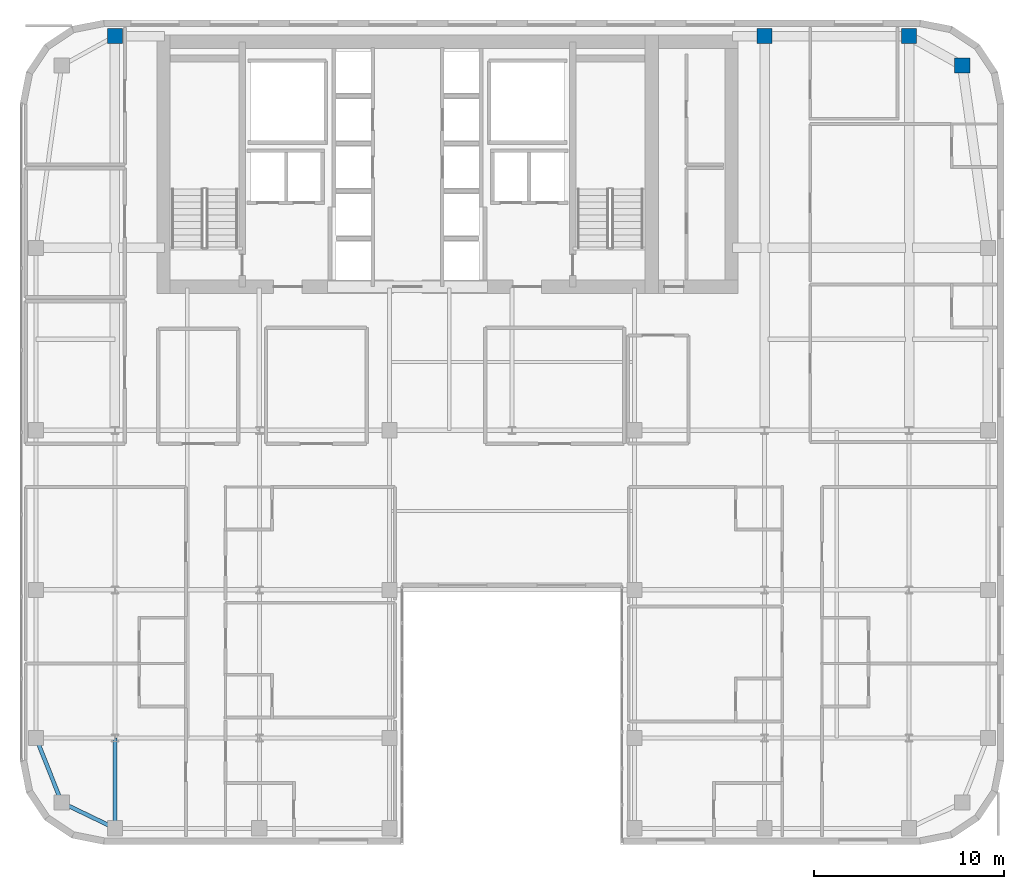
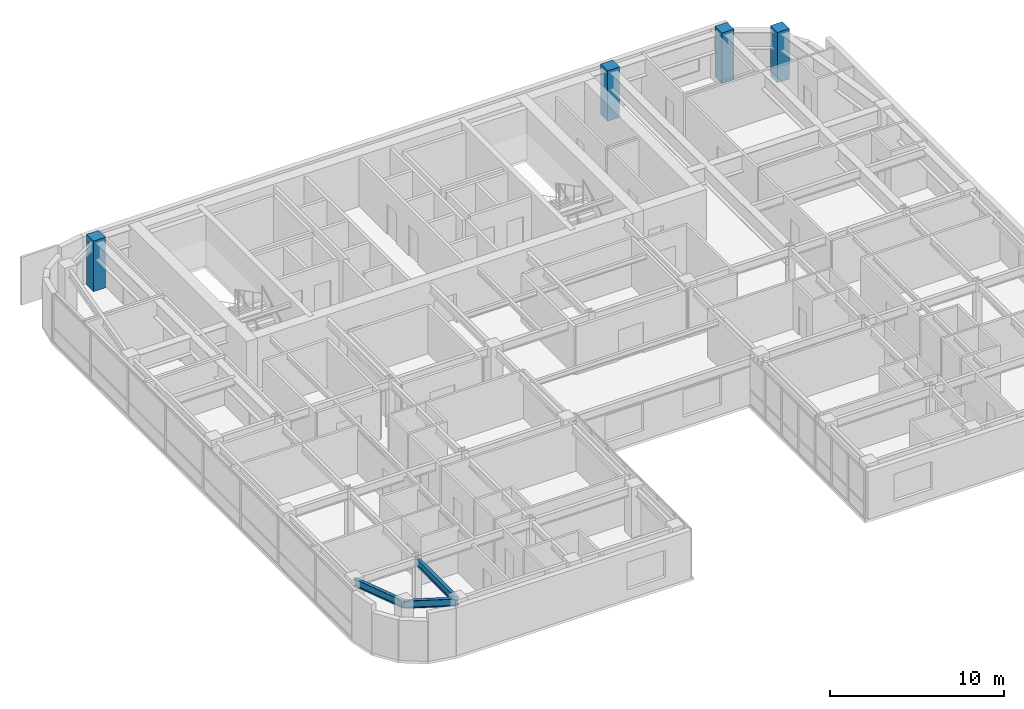
# One storey, part 2 of 24: 4 columns, 3 beams.
"""IFC4 building model written with IfcOpenShell, lengths in metres."""

from ifc_helpers import new_model, si_unit, direction, frame, origin, origin_2d, place, context, subcontext, project, spatial, rectangle, i_section, extrude, source, transform, mapped, material, material_profile, profile_set, type_object, type_shapes, element, save


model = new_model("IFC4")

# Units and contexts
model_context = context("Model", 3, precision=1e-05, world=origin(), true_north=direction((0.0, 1.0)))
body_context = subcontext(model_context, "Body", "Model", "MODEL_VIEW")
ifc_project = project(units=[si_unit("LENGTHUNIT", "METRE"), si_unit("AREAUNIT", "SQUARE_METRE"), si_unit("VOLUMEUNIT", "CUBIC_METRE"), si_unit("PLANEANGLEUNIT", "RADIAN"), si_unit("MASSUNIT", "GRAM", prefix="KILO")], contexts=[model_context])

# Site, building, storey
site_placement = place(None, origin())
site = spatial("IfcSite", under=ifc_project, at=site_placement, CompositionType="ELEMENT")
building_placement = place(site_placement, origin())
building = spatial("IfcBuilding", under=site, at=building_placement, Name="Tolvann Quenvar Hotel", CompositionType="ELEMENT")
storey_placement = place(building_placement, frame((0.0, 0.0, 194.64990234375)))
storey = spatial("IfcBuildingStorey", under=building, at=storey_placement, Name="L51", CompositionType="ELEMENT", Elevation=194.64990234375)

# Columns
ifc_material_1 = material(Name="Concrete N50 (50 MPa)", Category="concrete")
ifc_material_profile_1 = material_profile(ifc_material_1, rectangle(XDim=0.800048828125, YDim=0.800048828125, at=origin_2d()), Name="RC800x800")
ifc_profile_set_1 = profile_set([ifc_material_profile_1], Name="Concrete N50 (50 MPa)")
column_type = type_object("IfcColumnType", Name="COL_RC800", PredefinedType="COLUMN", material=ifc_profile_set_1)
shared_shape_1 = source(origin(), body_context, "Body", "SweptSolid", [
    extrude(rectangle(XDim=0.800048828125, YDim=0.800048828125, at=origin_2d()), origin(), (0.0, 0.0, 1.0), 3.550048828125),
])
type_shapes(column_type, [shared_shape_1])
for number, where, z_axis, x_axis, name in (
    (1, (7.60009765625, 45.14990234375, 0.0), (0.0, 0.0, 1.0), (1.0, 0.0, 0.0), "Column CN (L51)"),
    (2, (41.800048828125, 45.14990234375, 0.0), (0.0, 0.0, 1.0), (1.0, 0.0, 0.0), "Column HN (L51)"),
    (3, (49.39990234375, 45.14990234375, 0.0), (0.0, 0.0, 1.0), (1.0, 0.0, 0.0), "Column IN (L51)"),
    (4, (52.199951171875, 43.60009765625, 0.0), (0.0, 0.0, 1.0), (1.0, 0.0, 0.0), "Column JN (L51)"),
):
    element("IfcColumn", number, at=place(storey_placement, frame(where, z_axis=z_axis, x_axis=x_axis)), inside=storey, type_object=column_type, Name=name, PredefinedType="COLUMN", context=body_context, shape_type="MappedRepresentation", body=[
        mapped(shared_shape_1, transform((0.0, 0.0, 0.0), x_axis=(1.0, 0.0, 0.0), y_axis=(0.0, 1.0, 0.0), z_axis=(0.0, 0.0, 1.0), scale=1.0)),
    ])

# Beams
ifc_material_2 = material(Name="Steel Grade 350", Category="steel")
ifc_material_profile_2 = material_profile(ifc_material_2, i_section(OverallWidth=0.208984375, OverallDepth=0.528076171875, WebThickness=0.009521484375, FlangeThickness=0.01318359375, FilletRadius=0.013916015625, at=origin_2d()), Name="530UB82")
ifc_profile_set_2 = profile_set([ifc_material_profile_2], Name="Steel Grade 350")
beam_type_1 = type_object("IfcBeamType", Name="BM_SPAND_530UB82", PredefinedType="SPANDREL", material=ifc_profile_set_2)
shared_shape_2 = source(origin(), body_context, "Body", "SweptSolid", [
    extrude(i_section(OverallWidth=0.208984375, OverallDepth=0.528076171875, WebThickness=0.009521484375, FlangeThickness=0.01318359375, FilletRadius=0.013916015625, at=origin_2d()), origin(), (0.0, 0.0, 1.0), 3.108642578125),
])
beam_1_placement = place(storey_placement, frame((4.800048828125, 4.800048828125, 3.106201171875), z_axis=(0.900759354066, -0.434318530646, 0.0), x_axis=(0.434318530646, 0.900759354066, 0.0)))
element("IfcBeam", 5, at=beam_1_placement, inside=storey, type_object=beam_type_1, Name="BM-L51-EW-2-B2-C2", PredefinedType="SPANDREL", context=body_context, shape_type="MappedRepresentation", body=[
    mapped(shared_shape_2, transform((0.0, 0.0, 0.0), x_axis=(1.0, 0.0, 0.0), y_axis=(0.0, 1.0, 0.0), z_axis=(0.0, 0.0, 1.0), scale=1.0)),
])
shared_shape_3 = source(origin(), body_context, "Body", "SweptSolid", [
    extrude(i_section(OverallWidth=0.208984375, OverallDepth=0.528076171875, WebThickness=0.009521484375, FlangeThickness=0.01318359375, FilletRadius=0.013916015625, at=origin_2d()), origin(), (0.0, 0.0, 1.0), 3.658203125),
])
type_shapes(beam_type_1, [shared_shape_2, shared_shape_3])
beam_2_placement = place(storey_placement, frame((4.800048828125, 4.800048828125, 3.106201171875), z_axis=(-0.369065163807, 0.929403521009, 0.0), x_axis=(-0.929403521009, -0.369065163807, 0.0)))
element("IfcBeam", 6, at=beam_2_placement, inside=storey, type_object=beam_type_1, Name="BM-L51-NS-B2-B3", PredefinedType="SPANDREL", context=body_context, shape_type="MappedRepresentation", body=[
    mapped(shared_shape_3, transform((0.0, 0.0, 0.0), x_axis=(1.0, 0.0, 0.0), y_axis=(0.0, 1.0, 0.0), z_axis=(0.0, 0.0, 1.0), scale=1.0)),
])
ifc_material_profile_3 = material_profile(ifc_material_2, i_section(OverallWidth=0.208984375, OverallDepth=0.532958984375, WebThickness=0.01025390625, FlangeThickness=0.015625, FilletRadius=0.013916015625, at=origin_2d()), Name="530UB92")
ifc_profile_set_3 = profile_set([ifc_material_profile_3], Name="Steel Grade 350")
beam_type_2 = type_object("IfcBeamType", Name="BM_GIRD_530UB92", PredefinedType="BEAM", material=ifc_profile_set_3)
shared_shape_4 = source(origin(), body_context, "Body", "SweptSolid", [
    extrude(i_section(OverallWidth=0.208984375, OverallDepth=0.532958984375, WebThickness=0.01025390625, FlangeThickness=0.015625, FilletRadius=0.013916015625, at=origin_2d()), origin(), (0.0, 0.0, 1.0), 4.75),
])
type_shapes(beam_type_2, [shared_shape_4])
beam_3_placement = place(storey_placement, frame((7.60009765625, 3.449951171875, 3.103515625), z_axis=(0.0, 1.0, 0.0), x_axis=(-1.0, 0.0, 0.0)))
element("IfcBeam", 7, at=beam_3_placement, inside=storey, type_object=beam_type_2, Name="BM-L51-NS-C2-C3", PredefinedType="BEAM", context=body_context, shape_type="MappedRepresentation", body=[
    mapped(shared_shape_4, transform((0.0, 0.0, 0.0), x_axis=(1.0, 0.0, 0.0), y_axis=(0.0, 1.0, 0.0), z_axis=(0.0, 0.0, 1.0), scale=1.0)),
])

save(model, "model.ifc")
